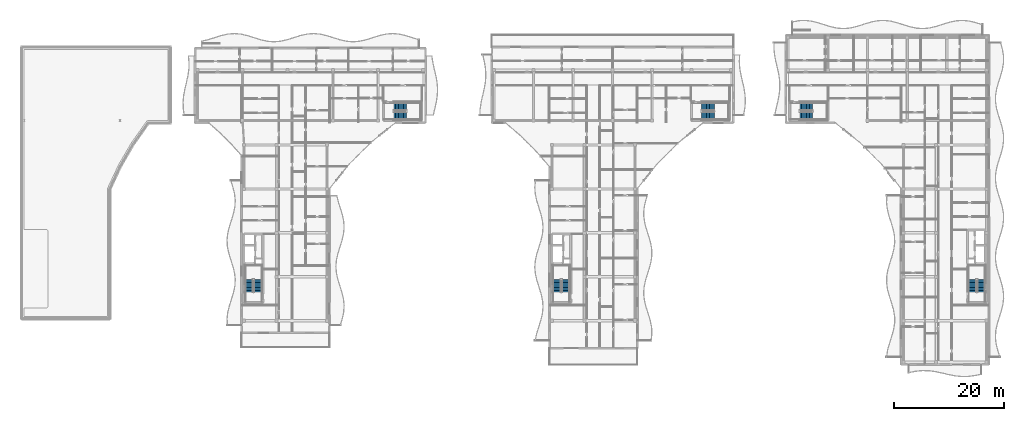
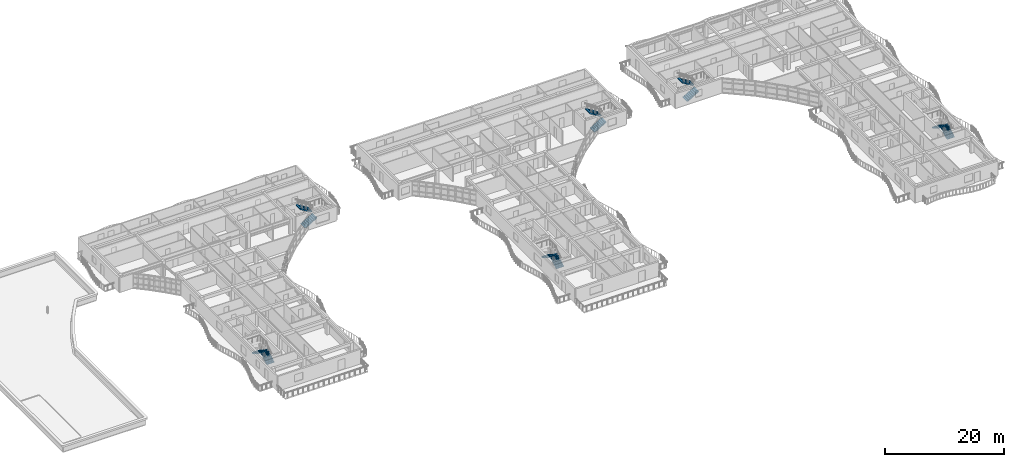
# One storey, part 39 of 54: 12 stair flights, 6 elements without a shape of their own.
"""IFC4 building model written with IfcOpenShell, lengths in metres."""

from ifc_helpers import new_model, si_unit, direction, frame, origin, place, context, subcontext, project, spatial, polyline, outline, extrude, material, type_object, element, aggregate, save


model = new_model("IFC4")

# Units and contexts
model_context = context("Model", 3, precision=1e-05, world=origin(), true_north=direction((0.0, 1.0)))
body_context = subcontext(model_context, "Body", "Model", "MODEL_VIEW")
ifc_project = project(units=[si_unit("LENGTHUNIT", "METRE"), si_unit("AREAUNIT", "SQUARE_METRE"), si_unit("VOLUMEUNIT", "CUBIC_METRE"), si_unit("PLANEANGLEUNIT", "RADIAN"), si_unit("MASSUNIT", "GRAM", prefix="KILO")], contexts=[model_context])

# Site, building, storey
site_placement = place(None, origin())
site = spatial("IfcSite", under=ifc_project, at=site_placement, CompositionType="ELEMENT")
building_placement = place(site_placement, origin())
building = spatial("IfcBuilding", under=site, at=building_placement, Name="Keldmere Railside Commons", CompositionType="ELEMENT")
storey_placement = place(building_placement, frame((0.0, 0.0, 26.56005859375)))
storey = spatial("IfcBuildingStorey", under=building, at=storey_placement, Name="L08", CompositionType="ELEMENT", Elevation=26.56005859375)

# Stair, stair flights
ifc_material = material(Name="Concrete H-30 (C30/37)", Category="concrete")
stair_type_1 = type_object("IfcStairType", Name="Basement Garage Dogleg Escape Stair 1450", PredefinedType="HALF_TURN_STAIR", material=ifc_material)
stair_1_placement = place(storey_placement, origin())
stair_1 = element("IfcStair", 1, at=stair_1_placement, inside=storey, type_object=stair_type_1, Name="L08 Block B Primary Escape Stair 1", PredefinedType="HALF_TURN_STAIR")
stair_flight_type_1 = type_object("IfcStairFlightType", Name="Basement Escape Stair Flight 1450", PredefinedType="STRAIGHT", material=ifc_material)
stair_flight_1_placement = place(storey_placement, frame((106.97509765625, 69.199951171875, 0.0), z_axis=(0.0, 0.0, 1.0), x_axis=(0.0, 1.0, 0.0)))
stair_flight_1 = element("IfcStairFlight", 2, at=stair_flight_1_placement, type_object=stair_flight_type_1, Name="ST-B1 flight 1", NumberOfRisers=9, NumberOfTreads=8, PredefinedType="STRAIGHT", RiserHeight=0.177777778, TreadLength=0.29, context=body_context, shape_type="SweptSolid", body=[
    extrude(outline(polyline([(0.0, 0.0), (0.0, 0.177734375), (0.2900390625, 0.177734375), (0.2900390625, 0.35546875), (0.580078125, 0.35546875), (0.580078125, 0.533447265625), (0.8701171875, 0.533447265625), (0.8701171875, 0.711181640625), (1.159912109375, 0.711181640625), (1.159912109375, 0.888916015625), (1.449951171875, 0.888916015625), (1.449951171875, 1.066650390625), (1.739990234375, 1.066650390625), (1.739990234375, 1.244384765625), (2.030029296875, 1.244384765625), (2.030029296875, 1.422119140625), (2.320068359375, 1.422119140625), (2.320068359375, 1.60009765625), (2.320068359375, 1.211181640625), (0.34423828125, 0.0), (0.0, 0.0)])), frame((0.0, 0.72509765625, 0.0), z_axis=(0.0, -1.0, 0.0), x_axis=(1.0, 0.0, 0.0)), (0.0, 0.0, 1.0), 1.449951171875),
])
stair_flight_2_placement = place(storey_placement, frame((105.375, 71.52001953125, 1.599853515625), z_axis=(0.0, 0.0, 1.0), x_axis=(0.0, -1.0, 0.0)))
stair_flight_2 = element("IfcStairFlight", 3, at=stair_flight_2_placement, type_object=stair_flight_type_1, Name="ST-B1 flight 2", NumberOfRisers=9, NumberOfTreads=8, PredefinedType="STRAIGHT", RiserHeight=0.177777778, TreadLength=0.29, context=body_context, shape_type="SweptSolid", body=[
    extrude(outline(polyline([(0.0, 0.0), (0.0, 0.177734375), (0.2900390625, 0.177734375), (0.2900390625, 0.35546875), (0.580078125, 0.35546875), (0.580078125, 0.533447265625), (0.8701171875, 0.533447265625), (0.8701171875, 0.711181640625), (1.159912109375, 0.711181640625), (1.159912109375, 0.888916015625), (1.449951171875, 0.888916015625), (1.449951171875, 1.066650390625), (1.739990234375, 1.066650390625), (1.739990234375, 1.244384765625), (2.030029296875, 1.244384765625), (2.030029296875, 1.422119140625), (2.320068359375, 1.422119140625), (2.320068359375, 1.60009765625), (2.320068359375, 1.211181640625), (0.34423828125, 0.0), (0.0, 0.0)])), frame((0.0, 0.72509765625, 0.0), z_axis=(0.0, -1.0, 0.0), x_axis=(1.0, 0.0, 0.0)), (0.0, 0.0, 1.0), 1.449951171875),
])
aggregate(stair_1, [stair_flight_1, stair_flight_2])

stair_2_placement = place(storey_placement, origin())
stair_2 = element("IfcStair", 4, at=stair_2_placement, inside=storey, type_object=stair_type_1, Name="L08 Block B Secondary Escape Stair 2", PredefinedType="HALF_TURN_STAIR")
stair_flight_3_placement = place(storey_placement, frame((131.699951171875, 101.324951171875, 0.0), z_axis=(0.0, 0.0, 1.0), x_axis=(1.0, 0.0, 0.0)))
stair_flight_3 = element("IfcStairFlight", 5, at=stair_flight_3_placement, type_object=stair_flight_type_1, Name="ST-B2 flight 1", NumberOfRisers=9, NumberOfTreads=8, PredefinedType="STRAIGHT", RiserHeight=0.177777778, TreadLength=0.29, context=body_context, shape_type="SweptSolid", body=[
    extrude(outline(polyline([(0.0, 0.0), (0.0, 0.177734375), (0.2900390625, 0.177734375), (0.2900390625, 0.35546875), (0.580078125, 0.35546875), (0.580078125, 0.533447265625), (0.8701171875, 0.533447265625), (0.8701171875, 0.711181640625), (1.159912109375, 0.711181640625), (1.159912109375, 0.888916015625), (1.449951171875, 0.888916015625), (1.449951171875, 1.066650390625), (1.739990234375, 1.066650390625), (1.739990234375, 1.244384765625), (2.030029296875, 1.244384765625), (2.030029296875, 1.422119140625), (2.320068359375, 1.422119140625), (2.320068359375, 1.60009765625), (2.320068359375, 1.211181640625), (0.34423828125, 0.0), (0.0, 0.0)])), frame((0.0, 0.72509765625, 0.0), z_axis=(0.0, -1.0, 0.0), x_axis=(1.0, 0.0, 0.0)), (0.0, 0.0, 1.0), 1.449951171875),
])
stair_flight_4_placement = place(storey_placement, frame((134.02001953125, 102.925048828125, 1.599853515625), z_axis=(0.0, 0.0, 1.0), x_axis=(-1.0, 0.0, 0.0)))
stair_flight_4 = element("IfcStairFlight", 6, at=stair_flight_4_placement, type_object=stair_flight_type_1, Name="ST-B2 flight 2", NumberOfRisers=9, NumberOfTreads=8, PredefinedType="STRAIGHT", RiserHeight=0.177777778, TreadLength=0.29, context=body_context, shape_type="SweptSolid", body=[
    extrude(outline(polyline([(0.0, 0.0), (0.0, 0.177734375), (0.2900390625, 0.177734375), (0.2900390625, 0.35546875), (0.580078125, 0.35546875), (0.580078125, 0.533447265625), (0.8701171875, 0.533447265625), (0.8701171875, 0.711181640625), (1.159912109375, 0.711181640625), (1.159912109375, 0.888916015625), (1.449951171875, 0.888916015625), (1.449951171875, 1.066650390625), (1.739990234375, 1.066650390625), (1.739990234375, 1.244384765625), (2.030029296875, 1.244384765625), (2.030029296875, 1.422119140625), (2.320068359375, 1.422119140625), (2.320068359375, 1.60009765625), (2.320068359375, 1.211181640625), (0.34423828125, 0.0), (0.0, 0.0)])), frame((0.0, 0.72509765625, 0.0), z_axis=(0.0, -1.0, 0.0), x_axis=(1.0, 0.0, 0.0)), (0.0, 0.0, 1.0), 1.449951171875),
])
aggregate(stair_2, [stair_flight_3, stair_flight_4])

stair_type_2 = type_object("IfcStairType", Name="Residential Core Dogleg Stair 1450", PredefinedType="HALF_TURN_STAIR", material=ifc_material)
stair_3_placement = place(storey_placement, origin())
stair_3 = element("IfcStair", 7, at=stair_3_placement, inside=storey, type_object=stair_type_2, Name="L08 Block C Primary Escape Stair 1", PredefinedType="HALF_TURN_STAIR")
stair_flight_type_2 = type_object("IfcStairFlightType", Name="Residential Core Stair Flight 1450", PredefinedType="STRAIGHT", material=ifc_material)
stair_flight_5_placement = place(storey_placement, frame((50.97509765625, 69.199951171875, 0.0), z_axis=(0.0, 0.0, 1.0), x_axis=(0.0, 1.0, 0.0)))
stair_flight_5 = element("IfcStairFlight", 8, at=stair_flight_5_placement, type_object=stair_flight_type_2, Name="ST-C1 flight 1", NumberOfRisers=9, NumberOfTreads=8, PredefinedType="STRAIGHT", RiserHeight=0.177777778, TreadLength=0.29, context=body_context, shape_type="SweptSolid", body=[
    extrude(outline(polyline([(0.0, 0.0), (0.0, 0.177734375), (0.2900390625, 0.177734375), (0.2900390625, 0.35546875), (0.580078125, 0.35546875), (0.580078125, 0.533447265625), (0.8701171875, 0.533447265625), (0.8701171875, 0.711181640625), (1.159912109375, 0.711181640625), (1.159912109375, 0.888916015625), (1.449951171875, 0.888916015625), (1.449951171875, 1.066650390625), (1.739990234375, 1.066650390625), (1.739990234375, 1.244384765625), (2.030029296875, 1.244384765625), (2.030029296875, 1.422119140625), (2.320068359375, 1.422119140625), (2.320068359375, 1.60009765625), (2.320068359375, 1.211181640625), (0.34423828125, 0.0), (0.0, 0.0)])), frame((0.0, 0.72509765625, 0.0), z_axis=(0.0, -1.0, 0.0), x_axis=(1.0, 0.0, 0.0)), (0.0, 0.0, 1.0), 1.449951171875),
])
stair_flight_6_placement = place(storey_placement, frame((49.375, 71.52001953125, 1.599853515625), z_axis=(0.0, 0.0, 1.0), x_axis=(0.0, -1.0, 0.0)))
stair_flight_6 = element("IfcStairFlight", 9, at=stair_flight_6_placement, type_object=stair_flight_type_2, Name="ST-C1 flight 2", NumberOfRisers=9, NumberOfTreads=8, PredefinedType="STRAIGHT", RiserHeight=0.177777778, TreadLength=0.29, context=body_context, shape_type="SweptSolid", body=[
    extrude(outline(polyline([(0.0, 0.0), (0.0, 0.177734375), (0.2900390625, 0.177734375), (0.2900390625, 0.35546875), (0.580078125, 0.35546875), (0.580078125, 0.533447265625), (0.8701171875, 0.533447265625), (0.8701171875, 0.711181640625), (1.159912109375, 0.711181640625), (1.159912109375, 0.888916015625), (1.449951171875, 0.888916015625), (1.449951171875, 1.066650390625), (1.739990234375, 1.066650390625), (1.739990234375, 1.244384765625), (2.030029296875, 1.244384765625), (2.030029296875, 1.422119140625), (2.320068359375, 1.422119140625), (2.320068359375, 1.60009765625), (2.320068359375, 1.211181640625), (0.34423828125, 0.0), (0.0, 0.0)])), frame((0.0, 0.72509765625, 0.0), z_axis=(0.0, -1.0, 0.0), x_axis=(1.0, 0.0, 0.0)), (0.0, 0.0, 1.0), 1.449951171875),
])
aggregate(stair_3, [stair_flight_5, stair_flight_6])

stair_4_placement = place(storey_placement, origin())
stair_4 = element("IfcStair", 10, at=stair_4_placement, inside=storey, type_object=stair_type_2, Name="L08 Block C Secondary Escape Stair 2", PredefinedType="HALF_TURN_STAIR")
stair_flight_7_placement = place(storey_placement, frame((75.699951171875, 101.324951171875, 0.0), z_axis=(0.0, 0.0, 1.0), x_axis=(1.0, 0.0, 0.0)))
stair_flight_7 = element("IfcStairFlight", 11, at=stair_flight_7_placement, type_object=stair_flight_type_2, Name="ST-C2 flight 1", NumberOfRisers=9, NumberOfTreads=8, PredefinedType="STRAIGHT", RiserHeight=0.177777778, TreadLength=0.29, context=body_context, shape_type="SweptSolid", body=[
    extrude(outline(polyline([(0.0, 0.0), (0.0, 0.177734375), (0.2900390625, 0.177734375), (0.2900390625, 0.35546875), (0.580078125, 0.35546875), (0.580078125, 0.533447265625), (0.8701171875, 0.533447265625), (0.8701171875, 0.711181640625), (1.159912109375, 0.711181640625), (1.159912109375, 0.888916015625), (1.449951171875, 0.888916015625), (1.449951171875, 1.066650390625), (1.739990234375, 1.066650390625), (1.739990234375, 1.244384765625), (2.030029296875, 1.244384765625), (2.030029296875, 1.422119140625), (2.320068359375, 1.422119140625), (2.320068359375, 1.60009765625), (2.320068359375, 1.211181640625), (0.34423828125, 0.0), (0.0, 0.0)])), frame((0.0, 0.72509765625, 0.0), z_axis=(0.0, -1.0, 0.0), x_axis=(1.0, 0.0, 0.0)), (0.0, 0.0, 1.0), 1.449951171875),
])
stair_flight_8_placement = place(storey_placement, frame((78.02001953125, 102.925048828125, 1.599853515625), z_axis=(0.0, 0.0, 1.0), x_axis=(-1.0, 0.0, 0.0)))
stair_flight_8 = element("IfcStairFlight", 12, at=stair_flight_8_placement, type_object=stair_flight_type_2, Name="ST-C2 flight 2", NumberOfRisers=9, NumberOfTreads=8, PredefinedType="STRAIGHT", RiserHeight=0.177777778, TreadLength=0.29, context=body_context, shape_type="SweptSolid", body=[
    extrude(outline(polyline([(0.0, 0.0), (0.0, 0.177734375), (0.2900390625, 0.177734375), (0.2900390625, 0.35546875), (0.580078125, 0.35546875), (0.580078125, 0.533447265625), (0.8701171875, 0.533447265625), (0.8701171875, 0.711181640625), (1.159912109375, 0.711181640625), (1.159912109375, 0.888916015625), (1.449951171875, 0.888916015625), (1.449951171875, 1.066650390625), (1.739990234375, 1.066650390625), (1.739990234375, 1.244384765625), (2.030029296875, 1.244384765625), (2.030029296875, 1.422119140625), (2.320068359375, 1.422119140625), (2.320068359375, 1.60009765625), (2.320068359375, 1.211181640625), (0.34423828125, 0.0), (0.0, 0.0)])), frame((0.0, 0.72509765625, 0.0), z_axis=(0.0, -1.0, 0.0), x_axis=(1.0, 0.0, 0.0)), (0.0, 0.0, 1.0), 1.449951171875),
])
aggregate(stair_4, [stair_flight_7, stair_flight_8])

stair_5_placement = place(storey_placement, origin())
stair_5 = element("IfcStair", 13, at=stair_5_placement, inside=storey, type_object=stair_type_2, Name="L08 Block A Primary Escape Stair 1", PredefinedType="HALF_TURN_STAIR")
stair_flight_9_placement = place(storey_placement, frame((182.574951171875, 69.199951171875, 0.0), z_axis=(0.0, 0.0, 1.0), x_axis=(0.0, 1.0, 0.0)))
stair_flight_9 = element("IfcStairFlight", 14, at=stair_flight_9_placement, type_object=stair_flight_type_2, Name="ST-A1 flight 1", NumberOfRisers=9, NumberOfTreads=8, PredefinedType="STRAIGHT", RiserHeight=0.177777778, TreadLength=0.29, context=body_context, shape_type="SweptSolid", body=[
    extrude(outline(polyline([(0.0, 0.0), (0.0, 0.177734375), (0.2900390625, 0.177734375), (0.2900390625, 0.35546875), (0.580078125, 0.35546875), (0.580078125, 0.533447265625), (0.8701171875, 0.533447265625), (0.8701171875, 0.711181640625), (1.159912109375, 0.711181640625), (1.159912109375, 0.888916015625), (1.449951171875, 0.888916015625), (1.449951171875, 1.066650390625), (1.739990234375, 1.066650390625), (1.739990234375, 1.244384765625), (2.030029296875, 1.244384765625), (2.030029296875, 1.422119140625), (2.320068359375, 1.422119140625), (2.320068359375, 1.60009765625), (2.320068359375, 1.211181640625), (0.34423828125, 0.0), (0.0, 0.0)])), frame((0.0, 0.72509765625, 0.0), z_axis=(0.0, -1.0, 0.0), x_axis=(1.0, 0.0, 0.0)), (0.0, 0.0, 1.0), 1.449951171875),
])
stair_flight_10_placement = place(storey_placement, frame((180.97509765625, 71.52001953125, 1.599853515625), z_axis=(0.0, 0.0, 1.0), x_axis=(0.0, -1.0, 0.0)))
stair_flight_10 = element("IfcStairFlight", 15, at=stair_flight_10_placement, type_object=stair_flight_type_2, Name="ST-A1 flight 2", NumberOfRisers=9, NumberOfTreads=8, PredefinedType="STRAIGHT", RiserHeight=0.177777778, TreadLength=0.29, context=body_context, shape_type="SweptSolid", body=[
    extrude(outline(polyline([(0.0, 0.0), (0.0, 0.177734375), (0.2900390625, 0.177734375), (0.2900390625, 0.35546875), (0.580078125, 0.35546875), (0.580078125, 0.533447265625), (0.8701171875, 0.533447265625), (0.8701171875, 0.711181640625), (1.159912109375, 0.711181640625), (1.159912109375, 0.888916015625), (1.449951171875, 0.888916015625), (1.449951171875, 1.066650390625), (1.739990234375, 1.066650390625), (1.739990234375, 1.244384765625), (2.030029296875, 1.244384765625), (2.030029296875, 1.422119140625), (2.320068359375, 1.422119140625), (2.320068359375, 1.60009765625), (2.320068359375, 1.211181640625), (0.34423828125, 0.0), (0.0, 0.0)])), frame((0.0, 0.72509765625, 0.0), z_axis=(0.0, -1.0, 0.0), x_axis=(1.0, 0.0, 0.0)), (0.0, 0.0, 1.0), 1.449951171875),
])
aggregate(stair_5, [stair_flight_9, stair_flight_10])

stair_6_placement = place(storey_placement, origin())
stair_6 = element("IfcStair", 16, at=stair_6_placement, inside=storey, type_object=stair_type_2, Name="L08 Block A Secondary Escape Stair 2", PredefinedType="HALF_TURN_STAIR")
stair_flight_11_placement = place(storey_placement, frame((149.60009765625, 101.324951171875, 0.0), z_axis=(0.0, 0.0, 1.0), x_axis=(1.0, 0.0, 0.0)))
stair_flight_11 = element("IfcStairFlight", 17, at=stair_flight_11_placement, type_object=stair_flight_type_2, Name="ST-A2 flight 1", NumberOfRisers=9, NumberOfTreads=8, PredefinedType="STRAIGHT", RiserHeight=0.177777778, TreadLength=0.29, context=body_context, shape_type="SweptSolid", body=[
    extrude(outline(polyline([(0.0, 0.0), (0.0, 0.177734375), (0.2900390625, 0.177734375), (0.2900390625, 0.35546875), (0.580078125, 0.35546875), (0.580078125, 0.533447265625), (0.8701171875, 0.533447265625), (0.8701171875, 0.711181640625), (1.159912109375, 0.711181640625), (1.159912109375, 0.888916015625), (1.449951171875, 0.888916015625), (1.449951171875, 1.066650390625), (1.739990234375, 1.066650390625), (1.739990234375, 1.244384765625), (2.030029296875, 1.244384765625), (2.030029296875, 1.422119140625), (2.320068359375, 1.422119140625), (2.320068359375, 1.60009765625), (2.320068359375, 1.211181640625), (0.34423828125, 0.0), (0.0, 0.0)])), frame((0.0, 0.72509765625, 0.0), z_axis=(0.0, -1.0, 0.0), x_axis=(1.0, 0.0, 0.0)), (0.0, 0.0, 1.0), 1.449951171875),
])
stair_flight_12_placement = place(storey_placement, frame((151.919921875, 102.925048828125, 1.599853515625), z_axis=(0.0, 0.0, 1.0), x_axis=(-1.0, 0.0, 0.0)))
stair_flight_12 = element("IfcStairFlight", 18, at=stair_flight_12_placement, type_object=stair_flight_type_2, Name="ST-A2 flight 2", NumberOfRisers=9, NumberOfTreads=8, PredefinedType="STRAIGHT", RiserHeight=0.177777778, TreadLength=0.29, context=body_context, shape_type="SweptSolid", body=[
    extrude(outline(polyline([(0.0, 0.0), (0.0, 0.177734375), (0.2900390625, 0.177734375), (0.2900390625, 0.35546875), (0.580078125, 0.35546875), (0.580078125, 0.533447265625), (0.8701171875, 0.533447265625), (0.8701171875, 0.711181640625), (1.159912109375, 0.711181640625), (1.159912109375, 0.888916015625), (1.449951171875, 0.888916015625), (1.449951171875, 1.066650390625), (1.739990234375, 1.066650390625), (1.739990234375, 1.244384765625), (2.030029296875, 1.244384765625), (2.030029296875, 1.422119140625), (2.320068359375, 1.422119140625), (2.320068359375, 1.60009765625), (2.320068359375, 1.211181640625), (0.34423828125, 0.0), (0.0, 0.0)])), frame((0.0, 0.72509765625, 0.0), z_axis=(0.0, -1.0, 0.0), x_axis=(1.0, 0.0, 0.0)), (0.0, 0.0, 1.0), 1.449951171875),
])
aggregate(stair_6, [stair_flight_11, stair_flight_12])

save(model, "model.ifc")
